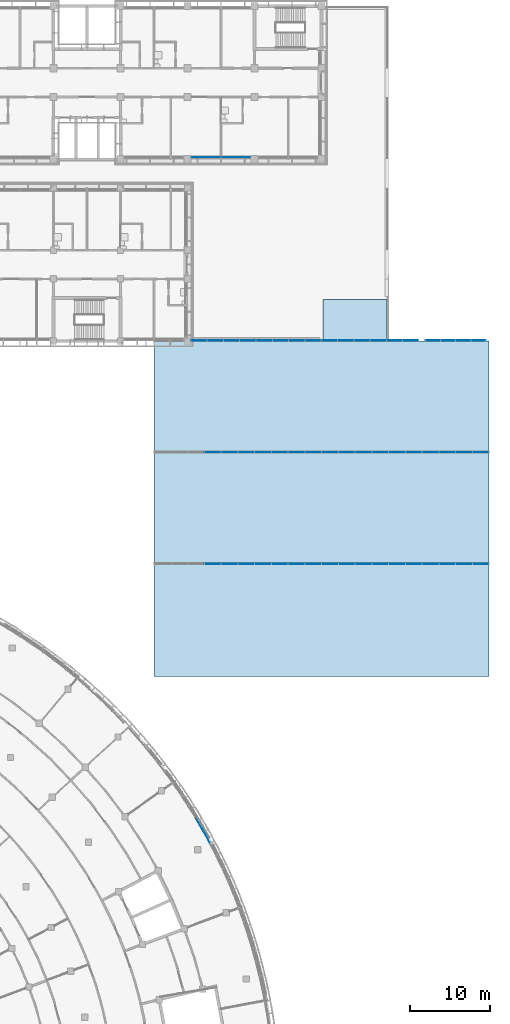
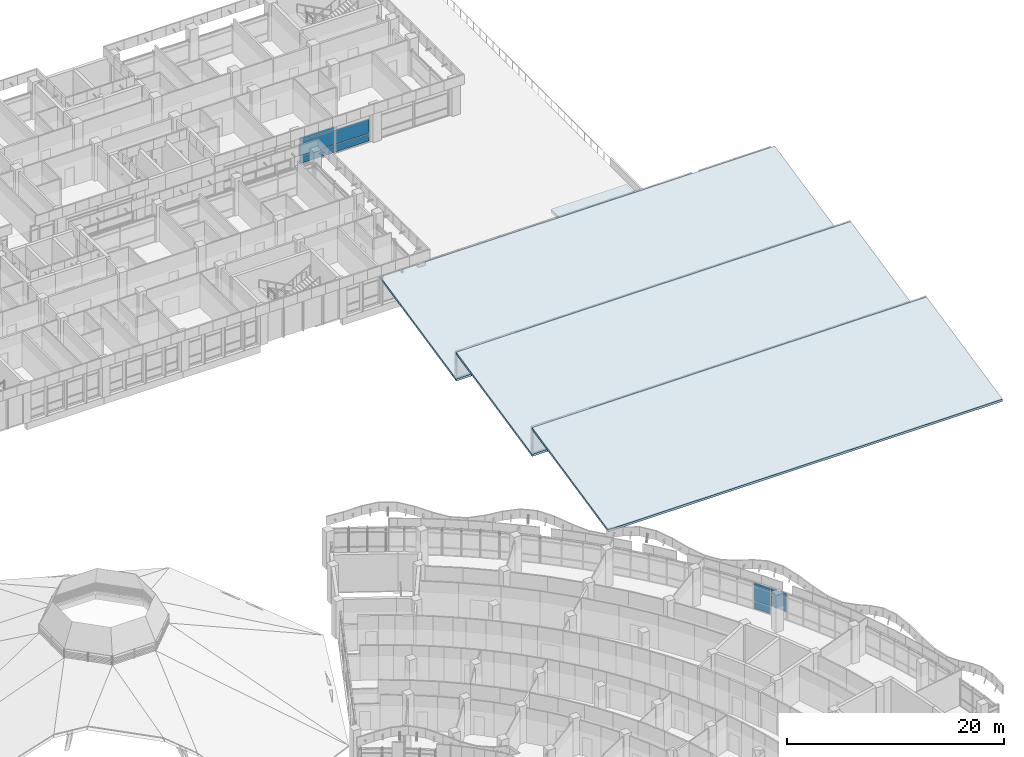
# One storey, part 60 of 137: 62 plates, 4 slabs, 6 elements without a shape of their own.
"""IFC4 building model written with IfcOpenShell, lengths in metres."""

from ifc_helpers import new_model, si_unit, direction, frame, origin, origin_2d, place, context, subcontext, project, spatial, polyline, rectangle, outline, extrude, material, layer, layer_set, type_object, element, aggregate, save


model = new_model("IFC4")

# Units and contexts
model_context = context("Model", 3, precision=1e-05, world=origin(), true_north=direction((0.0, 1.0)))
body_context = subcontext(model_context, "Body", "Model", "MODEL_VIEW")
ifc_project = project(units=[si_unit("LENGTHUNIT", "METRE"), si_unit("AREAUNIT", "SQUARE_METRE"), si_unit("VOLUMEUNIT", "CUBIC_METRE"), si_unit("PLANEANGLEUNIT", "RADIAN"), si_unit("MASSUNIT", "GRAM", prefix="KILO")], contexts=[model_context])

# Site, building, storey
site_placement = place(None, origin())
site = spatial("IfcSite", under=ifc_project, at=site_placement, CompositionType="ELEMENT")
building_placement = place(site_placement, origin())
building = spatial("IfcBuilding", under=site, at=building_placement, Name="Bougainvillea Quay General Hospital", CompositionType="ELEMENT")
storey_placement = place(building_placement, frame((0.0, 0.0, 16.800048828125)))
storey = spatial("IfcBuildingStorey", under=building, at=storey_placement, Name="L03", CompositionType="ELEMENT", Elevation=16.800048828125)

# Curtain wall, plates
ifc_material_1 = material(Name="Aluminium curtain wall system, powder-coated glazed", Category="aluminium")
curtain_wall_type_1 = type_object("IfcCurtainWallType", Name="Unitised curtain wall CW-2100", PredefinedType="NOTDEFINED", material=ifc_material_1)
curtain_wall_1_placement = place(storey_placement, origin())
curtain_wall_1 = element("IfcCurtainWall", 1, at=curtain_wall_1_placement, inside=storey, type_object=curtain_wall_type_1, Name="CW-E05 a14b4", PredefinedType="NOTDEFINED")
ifc_material_2 = material(Name="Insulated aluminium spandrel panel, white", Category="aluminium")
ifc_layer_1 = layer(ifc_material_2, 0.028076171875)
ifc_layer_set_1 = layer_set([ifc_layer_1], Name="Insulated aluminium spandrel panel, white")
plate_type_1 = type_object("IfcPlateType", Name="Insulated spandrel panel white 28", PredefinedType="CURTAIN_PANEL", material=ifc_layer_set_1)
plate_1_placement = place(storey_placement, frame((169.519287109375, 57.01318359375, 0.059814453125), z_axis=(0.0, 0.0, 1.0), x_axis=(0.502018002187, -0.864857170567, 0.0)))
plate_1 = element("IfcPlate", 2, at=plate_1_placement, type_object=plate_type_1, Name="CW-E05 spandrel panel 4.1", PredefinedType="CURTAIN_PANEL", context=body_context, shape_type="SweptSolid", body=[
    extrude(rectangle(XDim=1.72021484375, YDim=0.028076171875, at=origin_2d()), origin(), (0.0, 0.0, 1.0), 0.81005859375),
])
plate_2_placement = place(storey_placement, frame((169.519287109375, 57.01318359375, 2.580078125), z_axis=(0.0, 0.0, 1.0), x_axis=(0.502018002187, -0.864857170567, 0.0)))
plate_2 = element("IfcPlate", 3, at=plate_2_placement, type_object=plate_type_1, Name="CW-E05 spandrel panel 4.3", PredefinedType="CURTAIN_PANEL", context=body_context, shape_type="SweptSolid", body=[
    extrude(rectangle(XDim=1.72021484375, YDim=0.028076171875, at=origin_2d()), origin(), (0.0, 0.0, 1.0), 0.409912109375),
])
plate_3_placement = place(storey_placement, frame((170.385986328125, 55.4755859375, 2.580078125), z_axis=(0.0, 0.0, 1.0), x_axis=(0.479782535044, -0.877387439543, 0.0)))
plate_3 = element("IfcPlate", 4, at=plate_3_placement, type_object=plate_type_1, Name="CW-E05 spandrel panel 5.3", PredefinedType="CURTAIN_PANEL", context=body_context, shape_type="SweptSolid", body=[
    extrude(rectangle(XDim=1.690185546875, YDim=0.028076171875, at=origin_2d()), origin(), (0.0, 0.0, 1.0), 0.409912109375),
])

curtain_wall_type_2 = type_object("IfcCurtainWallType", Name="Unitised curtain wall CW-3730", PredefinedType="NOTDEFINED", material=ifc_material_1)
curtain_wall_2_placement = place(storey_placement, origin())
curtain_wall_2 = element("IfcCurtainWall", 5, at=curtain_wall_2_placement, inside=storey, type_object=curtain_wall_type_2, Name="CW-4200 01", PredefinedType="NOTDEFINED")
plate_4_placement = place(storey_placement, frame((170.35009765625, 140.64990234375, 0.059814453125), z_axis=(0.0, 0.0, 1.0), x_axis=(1.0, 0.0, 0.0)))
plate_4 = element("IfcPlate", 6, at=plate_4_placement, type_object=plate_type_1, Name="CW-4200 spandrel panel 1.1", PredefinedType="CURTAIN_PANEL", context=body_context, shape_type="SweptSolid", body=[
    extrude(rectangle(XDim=3.639892578125, YDim=0.028076171875, at=origin_2d()), origin(), (0.0, 0.0, 1.0), 0.81005859375),
])
plate_5_placement = place(storey_placement, frame((170.35009765625, 140.64990234375, 2.580078125), z_axis=(0.0, 0.0, 1.0), x_axis=(1.0, 0.0, 0.0)))
plate_5 = element("IfcPlate", 7, at=plate_5_placement, type_object=plate_type_1, Name="CW-4200 spandrel panel 1.3", PredefinedType="CURTAIN_PANEL", context=body_context, shape_type="SweptSolid", body=[
    extrude(rectangle(XDim=3.639892578125, YDim=0.028076171875, at=origin_2d()), origin(), (0.0, 0.0, 1.0), 0.409912109375),
])
plate_6_placement = place(storey_placement, frame((174.050048828125, 140.64990234375, 0.059814453125), z_axis=(0.0, 0.0, 1.0), x_axis=(1.0, 0.0, 0.0)))
plate_6 = element("IfcPlate", 8, at=plate_6_placement, type_object=plate_type_1, Name="CW-4200 spandrel panel 2.1", PredefinedType="CURTAIN_PANEL", context=body_context, shape_type="SweptSolid", body=[
    extrude(rectangle(XDim=3.639892578125, YDim=0.028076171875, at=origin_2d()), origin(), (0.0, 0.0, 1.0), 0.81005859375),
])

# Plate
ifc_material_3 = material(Name="Low-e laminated glass, solar control", Category="glass")
ifc_layer_2 = layer(ifc_material_3, 0.028076171875)
ifc_layer_set_2 = layer_set([ifc_layer_2], Name="Low-e laminated glass, solar control")
plate_type_2 = type_object("IfcPlateType", Name="Low-e laminated vision glass 28", PredefinedType="CURTAIN_PANEL", material=ifc_layer_set_2)
plate_7_placement = place(storey_placement, frame((169.519287109375, 57.01318359375, 0.9296875), z_axis=(0.0, 0.0, 1.0), x_axis=(0.502018002187, -0.864857170567, 0.0)))
plate_7 = element("IfcPlate", 9, at=plate_7_placement, type_object=plate_type_2, Name="CW-E05 vision glass panel 4.2", PredefinedType="CURTAIN_PANEL", context=body_context, shape_type="SweptSolid", body=[
    extrude(rectangle(XDim=1.72021484375, YDim=0.028076171875, at=origin_2d()), origin(), (0.0, 0.0, 1.0), 1.590087890625),
])

plate_8_placement = place(storey_placement, frame((170.385986328125, 55.4755859375, 0.9296875), z_axis=(0.0, 0.0, 1.0), x_axis=(0.479782535044, -0.877387439543, 0.0)))
plate_8 = element("IfcPlate", 10, at=plate_8_placement, type_object=plate_type_2, Name="CW-E05 vision glass panel 5.2", PredefinedType="CURTAIN_PANEL", context=body_context, shape_type="SweptSolid", body=[
    extrude(rectangle(XDim=1.690185546875, YDim=0.028076171875, at=origin_2d()), origin(), (0.0, 0.0, 1.0), 1.590087890625),
])

aggregate(curtain_wall_1, [plate_1, plate_7, plate_2, plate_8, plate_3])

plate_9_placement = place(storey_placement, frame((170.35009765625, 140.64990234375, 0.9296875), z_axis=(0.0, 0.0, 1.0), x_axis=(1.0, 0.0, 0.0)))
plate_9 = element("IfcPlate", 11, at=plate_9_placement, type_object=plate_type_2, Name="CW-4200 vision glass panel 1.2", PredefinedType="CURTAIN_PANEL", context=body_context, shape_type="SweptSolid", body=[
    extrude(rectangle(XDim=3.639892578125, YDim=0.028076171875, at=origin_2d()), origin(), (0.0, 0.0, 1.0), 1.590087890625),
])

plate_10_placement = place(storey_placement, frame((174.050048828125, 140.64990234375, 0.9296875), z_axis=(0.0, 0.0, 1.0), x_axis=(1.0, 0.0, 0.0)))
plate_10 = element("IfcPlate", 12, at=plate_10_placement, type_object=plate_type_2, Name="CW-4200 vision glass panel 2.2", PredefinedType="CURTAIN_PANEL", context=body_context, shape_type="SweptSolid", body=[
    extrude(rectangle(XDim=3.639892578125, YDim=0.028076171875, at=origin_2d()), origin(), (0.0, 0.0, 1.0), 1.590087890625),
])

aggregate(curtain_wall_2, [plate_4, plate_9, plate_5, plate_6, plate_10])

# Curtain wall, plates
curtain_wall_3_placement = place(storey_placement, origin())
curtain_wall_3 = element("IfcCurtainWall", 13, at=curtain_wall_3_placement, inside=storey, type_object=curtain_wall_type_1, Name="ST-G1 GL0", PredefinedType="NOTDEFINED")
plate_11_placement = place(storey_placement, frame((171.14990234375, 89.679931640625, 0.06005859375), z_axis=(0.0, 0.0, 1.0), x_axis=(1.0, 0.0, 0.0)))
plate_11 = element("IfcPlate", 14, at=plate_11_placement, type_object=plate_type_2, Name="ST-G1 vision glass panel 4.1", PredefinedType="CURTAIN_PANEL", context=body_context, shape_type="SweptSolid", body=[
    extrude(rectangle(XDim=2.0400390625, YDim=0.028076171875, at=origin_2d()), origin(), (0.0, 0.0, 1.0), 2.8798828125),
])
plate_12_placement = place(storey_placement, frame((173.25, 89.679931640625, 0.06005859375), z_axis=(0.0, 0.0, 1.0), x_axis=(1.0, 0.0, 0.0)))
plate_12 = element("IfcPlate", 15, at=plate_12_placement, type_object=plate_type_2, Name="ST-G1 vision glass panel 5.1", PredefinedType="CURTAIN_PANEL", context=body_context, shape_type="SweptSolid", body=[
    extrude(rectangle(XDim=2.0400390625, YDim=0.028076171875, at=origin_2d()), origin(), (0.0, 0.0, 1.0), 2.8798828125),
])
plate_13_placement = place(storey_placement, frame((175.35009765625, 89.679931640625, 0.06005859375), z_axis=(0.0, 0.0, 1.0), x_axis=(1.0, 0.0, 0.0)))
plate_13 = element("IfcPlate", 16, at=plate_13_placement, type_object=plate_type_2, Name="ST-G1 vision glass panel 6.1", PredefinedType="CURTAIN_PANEL", context=body_context, shape_type="SweptSolid", body=[
    extrude(rectangle(XDim=2.0400390625, YDim=0.028076171875, at=origin_2d()), origin(), (0.0, 0.0, 1.0), 2.8798828125),
])
plate_14_placement = place(storey_placement, frame((177.449951171875, 89.679931640625, 0.06005859375), z_axis=(0.0, 0.0, 1.0), x_axis=(1.0, 0.0, 0.0)))
plate_14 = element("IfcPlate", 17, at=plate_14_placement, type_object=plate_type_2, Name="ST-G1 vision glass panel 7.1", PredefinedType="CURTAIN_PANEL", context=body_context, shape_type="SweptSolid", body=[
    extrude(rectangle(XDim=2.0400390625, YDim=0.028076171875, at=origin_2d()), origin(), (0.0, 0.0, 1.0), 2.8798828125),
])
plate_15_placement = place(storey_placement, frame((179.550048828125, 89.679931640625, 0.06005859375), z_axis=(0.0, 0.0, 1.0), x_axis=(1.0, 0.0, 0.0)))
plate_15 = element("IfcPlate", 18, at=plate_15_placement, type_object=plate_type_2, Name="ST-G1 vision glass panel 8.1", PredefinedType="CURTAIN_PANEL", context=body_context, shape_type="SweptSolid", body=[
    extrude(rectangle(XDim=2.0400390625, YDim=0.028076171875, at=origin_2d()), origin(), (0.0, 0.0, 1.0), 2.8798828125),
])
plate_16_placement = place(storey_placement, frame((181.64990234375, 89.679931640625, 0.06005859375), z_axis=(0.0, 0.0, 1.0), x_axis=(1.0, 0.0, 0.0)))
plate_16 = element("IfcPlate", 19, at=plate_16_placement, type_object=plate_type_2, Name="ST-G1 vision glass panel 9.1", PredefinedType="CURTAIN_PANEL", context=body_context, shape_type="SweptSolid", body=[
    extrude(rectangle(XDim=2.0400390625, YDim=0.028076171875, at=origin_2d()), origin(), (0.0, 0.0, 1.0), 2.8798828125),
])
plate_17_placement = place(storey_placement, frame((183.75, 89.679931640625, 0.06005859375), z_axis=(0.0, 0.0, 1.0), x_axis=(1.0, 0.0, 0.0)))
plate_17 = element("IfcPlate", 20, at=plate_17_placement, type_object=plate_type_2, Name="ST-G1 vision glass panel 10.1", PredefinedType="CURTAIN_PANEL", context=body_context, shape_type="SweptSolid", body=[
    extrude(rectangle(XDim=2.0400390625, YDim=0.028076171875, at=origin_2d()), origin(), (0.0, 0.0, 1.0), 2.8798828125),
])
plate_18_placement = place(storey_placement, frame((185.85009765625, 89.679931640625, 0.06005859375), z_axis=(0.0, 0.0, 1.0), x_axis=(1.0, 0.0, 0.0)))
plate_18 = element("IfcPlate", 21, at=plate_18_placement, type_object=plate_type_2, Name="ST-G1 vision glass panel 11.1", PredefinedType="CURTAIN_PANEL", context=body_context, shape_type="SweptSolid", body=[
    extrude(rectangle(XDim=2.0400390625, YDim=0.028076171875, at=origin_2d()), origin(), (0.0, 0.0, 1.0), 2.8798828125),
])
plate_19_placement = place(storey_placement, frame((187.949951171875, 89.679931640625, 0.06005859375), z_axis=(0.0, 0.0, 1.0), x_axis=(1.0, 0.0, 0.0)))
plate_19 = element("IfcPlate", 22, at=plate_19_placement, type_object=plate_type_2, Name="ST-G1 vision glass panel 12.1", PredefinedType="CURTAIN_PANEL", context=body_context, shape_type="SweptSolid", body=[
    extrude(rectangle(XDim=2.0400390625, YDim=0.028076171875, at=origin_2d()), origin(), (0.0, 0.0, 1.0), 2.8798828125),
])
plate_20_placement = place(storey_placement, frame((190.050048828125, 89.679931640625, 0.06005859375), z_axis=(0.0, 0.0, 1.0), x_axis=(1.0, 0.0, 0.0)))
plate_20 = element("IfcPlate", 23, at=plate_20_placement, type_object=plate_type_2, Name="ST-G1 vision glass panel 13.1", PredefinedType="CURTAIN_PANEL", context=body_context, shape_type="SweptSolid", body=[
    extrude(rectangle(XDim=2.0400390625, YDim=0.028076171875, at=origin_2d()), origin(), (0.0, 0.0, 1.0), 2.8798828125),
])
plate_21_placement = place(storey_placement, frame((192.14990234375, 89.679931640625, 0.06005859375), z_axis=(0.0, 0.0, 1.0), x_axis=(1.0, 0.0, 0.0)))
plate_21 = element("IfcPlate", 24, at=plate_21_placement, type_object=plate_type_2, Name="ST-G1 vision glass panel 14.1", PredefinedType="CURTAIN_PANEL", context=body_context, shape_type="SweptSolid", body=[
    extrude(rectangle(XDim=2.0400390625, YDim=0.028076171875, at=origin_2d()), origin(), (0.0, 0.0, 1.0), 2.8798828125),
])
plate_22_placement = place(storey_placement, frame((194.25, 89.679931640625, 0.06005859375), z_axis=(0.0, 0.0, 1.0), x_axis=(1.0, 0.0, 0.0)))
plate_22 = element("IfcPlate", 25, at=plate_22_placement, type_object=plate_type_2, Name="ST-G1 vision glass panel 15.1", PredefinedType="CURTAIN_PANEL", context=body_context, shape_type="SweptSolid", body=[
    extrude(rectangle(XDim=2.0400390625, YDim=0.028076171875, at=origin_2d()), origin(), (0.0, 0.0, 1.0), 2.8798828125),
])
plate_23_placement = place(storey_placement, frame((196.35009765625, 89.679931640625, 0.06005859375), z_axis=(0.0, 0.0, 1.0), x_axis=(1.0, 0.0, 0.0)))
plate_23 = element("IfcPlate", 26, at=plate_23_placement, type_object=plate_type_2, Name="ST-G1 vision glass panel 16.1", PredefinedType="CURTAIN_PANEL", context=body_context, shape_type="SweptSolid", body=[
    extrude(rectangle(XDim=2.0400390625, YDim=0.028076171875, at=origin_2d()), origin(), (0.0, 0.0, 1.0), 2.8798828125),
])
plate_24_placement = place(storey_placement, frame((198.449951171875, 89.679931640625, 0.06005859375), z_axis=(0.0, 0.0, 1.0), x_axis=(1.0, 0.0, 0.0)))
plate_24 = element("IfcPlate", 27, at=plate_24_placement, type_object=plate_type_2, Name="ST-G1 vision glass panel 17.1", PredefinedType="CURTAIN_PANEL", context=body_context, shape_type="SweptSolid", body=[
    extrude(rectangle(XDim=2.0400390625, YDim=0.028076171875, at=origin_2d()), origin(), (0.0, 0.0, 1.0), 2.8798828125),
])
plate_25_placement = place(storey_placement, frame((200.550048828125, 89.679931640625, 0.06005859375), z_axis=(0.0, 0.0, 1.0), x_axis=(1.0, 0.0, 0.0)))
plate_25 = element("IfcPlate", 28, at=plate_25_placement, type_object=plate_type_2, Name="ST-G1 vision glass panel 18.1", PredefinedType="CURTAIN_PANEL", context=body_context, shape_type="SweptSolid", body=[
    extrude(rectangle(XDim=2.0400390625, YDim=0.028076171875, at=origin_2d()), origin(), (0.0, 0.0, 1.0), 2.8798828125),
])
plate_26_placement = place(storey_placement, frame((202.64990234375, 89.679931640625, 0.06005859375), z_axis=(0.0, 0.0, 1.0), x_axis=(1.0, 0.0, 0.0)))
plate_26 = element("IfcPlate", 29, at=plate_26_placement, type_object=plate_type_2, Name="ST-G1 vision glass panel 19.1", PredefinedType="CURTAIN_PANEL", context=body_context, shape_type="SweptSolid", body=[
    extrude(rectangle(XDim=2.0400390625, YDim=0.028076171875, at=origin_2d()), origin(), (0.0, 0.0, 1.0), 2.8798828125),
])
plate_27_placement = place(storey_placement, frame((204.735107421875, 89.679931640625, 0.06005859375), z_axis=(0.0, 0.0, 1.0), x_axis=(1.0, 0.0, 0.0)))
plate_27 = element("IfcPlate", 30, at=plate_27_placement, type_object=plate_type_2, Name="ST-G1 vision glass panel 20.1", PredefinedType="CURTAIN_PANEL", context=body_context, shape_type="SweptSolid", body=[
    extrude(rectangle(XDim=2.010009765625, YDim=0.028076171875, at=origin_2d()), origin(), (0.0, 0.0, 1.0), 2.8798828125),
])
aggregate(curtain_wall_3, [plate_11, plate_12, plate_13, plate_14, plate_15, plate_16, plate_17, plate_18, plate_19, plate_20, plate_21, plate_22, plate_23, plate_24, plate_25, plate_26, plate_27])

curtain_wall_4_placement = place(storey_placement, origin())
curtain_wall_4 = element("IfcCurtainWall", 31, at=curtain_wall_4_placement, inside=storey, type_object=curtain_wall_type_1, Name="ST-G2 GL1", PredefinedType="NOTDEFINED")
plate_28_placement = place(storey_placement, frame((171.14990234375, 103.679931640625, 0.06005859375), z_axis=(0.0, 0.0, 1.0), x_axis=(1.0, 0.0, 0.0)))
plate_28 = element("IfcPlate", 32, at=plate_28_placement, type_object=plate_type_2, Name="ST-G2 vision glass panel 4.1", PredefinedType="CURTAIN_PANEL", context=body_context, shape_type="SweptSolid", body=[
    extrude(rectangle(XDim=2.0400390625, YDim=0.028076171875, at=origin_2d()), origin(), (0.0, 0.0, 1.0), 2.8798828125),
])
plate_29_placement = place(storey_placement, frame((173.25, 103.679931640625, 0.06005859375), z_axis=(0.0, 0.0, 1.0), x_axis=(1.0, 0.0, 0.0)))
plate_29 = element("IfcPlate", 33, at=plate_29_placement, type_object=plate_type_2, Name="ST-G2 vision glass panel 5.1", PredefinedType="CURTAIN_PANEL", context=body_context, shape_type="SweptSolid", body=[
    extrude(rectangle(XDim=2.0400390625, YDim=0.028076171875, at=origin_2d()), origin(), (0.0, 0.0, 1.0), 2.8798828125),
])
plate_30_placement = place(storey_placement, frame((175.35009765625, 103.679931640625, 0.06005859375), z_axis=(0.0, 0.0, 1.0), x_axis=(1.0, 0.0, 0.0)))
plate_30 = element("IfcPlate", 34, at=plate_30_placement, type_object=plate_type_2, Name="ST-G2 vision glass panel 6.1", PredefinedType="CURTAIN_PANEL", context=body_context, shape_type="SweptSolid", body=[
    extrude(rectangle(XDim=2.0400390625, YDim=0.028076171875, at=origin_2d()), origin(), (0.0, 0.0, 1.0), 2.8798828125),
])
plate_31_placement = place(storey_placement, frame((177.449951171875, 103.679931640625, 0.06005859375), z_axis=(0.0, 0.0, 1.0), x_axis=(1.0, 0.0, 0.0)))
plate_31 = element("IfcPlate", 35, at=plate_31_placement, type_object=plate_type_2, Name="ST-G2 vision glass panel 7.1", PredefinedType="CURTAIN_PANEL", context=body_context, shape_type="SweptSolid", body=[
    extrude(rectangle(XDim=2.0400390625, YDim=0.028076171875, at=origin_2d()), origin(), (0.0, 0.0, 1.0), 2.8798828125),
])
plate_32_placement = place(storey_placement, frame((179.550048828125, 103.679931640625, 0.06005859375), z_axis=(0.0, 0.0, 1.0), x_axis=(1.0, 0.0, 0.0)))
plate_32 = element("IfcPlate", 36, at=plate_32_placement, type_object=plate_type_2, Name="ST-G2 vision glass panel 8.1", PredefinedType="CURTAIN_PANEL", context=body_context, shape_type="SweptSolid", body=[
    extrude(rectangle(XDim=2.0400390625, YDim=0.028076171875, at=origin_2d()), origin(), (0.0, 0.0, 1.0), 2.8798828125),
])
plate_33_placement = place(storey_placement, frame((181.64990234375, 103.679931640625, 0.06005859375), z_axis=(0.0, 0.0, 1.0), x_axis=(1.0, 0.0, 0.0)))
plate_33 = element("IfcPlate", 37, at=plate_33_placement, type_object=plate_type_2, Name="ST-G2 vision glass panel 9.1", PredefinedType="CURTAIN_PANEL", context=body_context, shape_type="SweptSolid", body=[
    extrude(rectangle(XDim=2.0400390625, YDim=0.028076171875, at=origin_2d()), origin(), (0.0, 0.0, 1.0), 2.8798828125),
])
plate_34_placement = place(storey_placement, frame((183.75, 103.679931640625, 0.06005859375), z_axis=(0.0, 0.0, 1.0), x_axis=(1.0, 0.0, 0.0)))
plate_34 = element("IfcPlate", 38, at=plate_34_placement, type_object=plate_type_2, Name="ST-G2 vision glass panel 10.1", PredefinedType="CURTAIN_PANEL", context=body_context, shape_type="SweptSolid", body=[
    extrude(rectangle(XDim=2.0400390625, YDim=0.028076171875, at=origin_2d()), origin(), (0.0, 0.0, 1.0), 2.8798828125),
])
plate_35_placement = place(storey_placement, frame((185.85009765625, 103.679931640625, 0.06005859375), z_axis=(0.0, 0.0, 1.0), x_axis=(1.0, 0.0, 0.0)))
plate_35 = element("IfcPlate", 39, at=plate_35_placement, type_object=plate_type_2, Name="ST-G2 vision glass panel 11.1", PredefinedType="CURTAIN_PANEL", context=body_context, shape_type="SweptSolid", body=[
    extrude(rectangle(XDim=2.0400390625, YDim=0.028076171875, at=origin_2d()), origin(), (0.0, 0.0, 1.0), 2.8798828125),
])
plate_36_placement = place(storey_placement, frame((187.949951171875, 103.679931640625, 0.06005859375), z_axis=(0.0, 0.0, 1.0), x_axis=(1.0, 0.0, 0.0)))
plate_36 = element("IfcPlate", 40, at=plate_36_placement, type_object=plate_type_2, Name="ST-G2 vision glass panel 12.1", PredefinedType="CURTAIN_PANEL", context=body_context, shape_type="SweptSolid", body=[
    extrude(rectangle(XDim=2.0400390625, YDim=0.028076171875, at=origin_2d()), origin(), (0.0, 0.0, 1.0), 2.8798828125),
])
plate_37_placement = place(storey_placement, frame((190.050048828125, 103.679931640625, 0.06005859375), z_axis=(0.0, 0.0, 1.0), x_axis=(1.0, 0.0, 0.0)))
plate_37 = element("IfcPlate", 41, at=plate_37_placement, type_object=plate_type_2, Name="ST-G2 vision glass panel 13.1", PredefinedType="CURTAIN_PANEL", context=body_context, shape_type="SweptSolid", body=[
    extrude(rectangle(XDim=2.0400390625, YDim=0.028076171875, at=origin_2d()), origin(), (0.0, 0.0, 1.0), 2.8798828125),
])
plate_38_placement = place(storey_placement, frame((192.14990234375, 103.679931640625, 0.06005859375), z_axis=(0.0, 0.0, 1.0), x_axis=(1.0, 0.0, 0.0)))
plate_38 = element("IfcPlate", 42, at=plate_38_placement, type_object=plate_type_2, Name="ST-G2 vision glass panel 14.1", PredefinedType="CURTAIN_PANEL", context=body_context, shape_type="SweptSolid", body=[
    extrude(rectangle(XDim=2.0400390625, YDim=0.028076171875, at=origin_2d()), origin(), (0.0, 0.0, 1.0), 2.8798828125),
])
plate_39_placement = place(storey_placement, frame((194.25, 103.679931640625, 0.06005859375), z_axis=(0.0, 0.0, 1.0), x_axis=(1.0, 0.0, 0.0)))
plate_39 = element("IfcPlate", 43, at=plate_39_placement, type_object=plate_type_2, Name="ST-G2 vision glass panel 15.1", PredefinedType="CURTAIN_PANEL", context=body_context, shape_type="SweptSolid", body=[
    extrude(rectangle(XDim=2.0400390625, YDim=0.028076171875, at=origin_2d()), origin(), (0.0, 0.0, 1.0), 2.8798828125),
])
plate_40_placement = place(storey_placement, frame((196.35009765625, 103.679931640625, 0.06005859375), z_axis=(0.0, 0.0, 1.0), x_axis=(1.0, 0.0, 0.0)))
plate_40 = element("IfcPlate", 44, at=plate_40_placement, type_object=plate_type_2, Name="ST-G2 vision glass panel 16.1", PredefinedType="CURTAIN_PANEL", context=body_context, shape_type="SweptSolid", body=[
    extrude(rectangle(XDim=2.0400390625, YDim=0.028076171875, at=origin_2d()), origin(), (0.0, 0.0, 1.0), 2.8798828125),
])
plate_41_placement = place(storey_placement, frame((198.449951171875, 103.679931640625, 0.06005859375), z_axis=(0.0, 0.0, 1.0), x_axis=(1.0, 0.0, 0.0)))
plate_41 = element("IfcPlate", 45, at=plate_41_placement, type_object=plate_type_2, Name="ST-G2 vision glass panel 17.1", PredefinedType="CURTAIN_PANEL", context=body_context, shape_type="SweptSolid", body=[
    extrude(rectangle(XDim=2.0400390625, YDim=0.028076171875, at=origin_2d()), origin(), (0.0, 0.0, 1.0), 2.8798828125),
])
plate_42_placement = place(storey_placement, frame((200.550048828125, 103.679931640625, 0.06005859375), z_axis=(0.0, 0.0, 1.0), x_axis=(1.0, 0.0, 0.0)))
plate_42 = element("IfcPlate", 46, at=plate_42_placement, type_object=plate_type_2, Name="ST-G2 vision glass panel 18.1", PredefinedType="CURTAIN_PANEL", context=body_context, shape_type="SweptSolid", body=[
    extrude(rectangle(XDim=2.0400390625, YDim=0.028076171875, at=origin_2d()), origin(), (0.0, 0.0, 1.0), 2.8798828125),
])
plate_43_placement = place(storey_placement, frame((202.64990234375, 103.679931640625, 0.06005859375), z_axis=(0.0, 0.0, 1.0), x_axis=(1.0, 0.0, 0.0)))
plate_43 = element("IfcPlate", 47, at=plate_43_placement, type_object=plate_type_2, Name="ST-G2 vision glass panel 19.1", PredefinedType="CURTAIN_PANEL", context=body_context, shape_type="SweptSolid", body=[
    extrude(rectangle(XDim=2.0400390625, YDim=0.028076171875, at=origin_2d()), origin(), (0.0, 0.0, 1.0), 2.8798828125),
])
plate_44_placement = place(storey_placement, frame((204.735107421875, 103.679931640625, 0.06005859375), z_axis=(0.0, 0.0, 1.0), x_axis=(1.0, 0.0, 0.0)))
plate_44 = element("IfcPlate", 48, at=plate_44_placement, type_object=plate_type_2, Name="ST-G2 vision glass panel 20.1", PredefinedType="CURTAIN_PANEL", context=body_context, shape_type="SweptSolid", body=[
    extrude(rectangle(XDim=2.010009765625, YDim=0.028076171875, at=origin_2d()), origin(), (0.0, 0.0, 1.0), 2.8798828125),
])
aggregate(curtain_wall_4, [plate_28, plate_29, plate_30, plate_31, plate_32, plate_33, plate_34, plate_35, plate_36, plate_37, plate_38, plate_39, plate_40, plate_41, plate_42, plate_43, plate_44])

curtain_wall_5_placement = place(storey_placement, origin())
curtain_wall_5 = element("IfcCurtainWall", 49, at=curtain_wall_5_placement, inside=storey, type_object=curtain_wall_type_1, Name="ST-G3 GL2_1", PredefinedType="NOTDEFINED")
plate_45_placement = place(storey_placement, frame((169.4365234375, 117.679931640625, 0.06005859375), z_axis=(0.0, 0.0, 1.0), x_axis=(1.0, 0.0, 0.0)))
plate_45 = element("IfcPlate", 50, at=plate_45_placement, type_object=plate_type_2, Name="ST-G3 vision glass panel 1.1", PredefinedType="CURTAIN_PANEL", context=body_context, shape_type="SweptSolid", body=[
    extrude(rectangle(XDim=1.952880859375, YDim=0.028076171875, at=origin_2d()), origin(), (0.0, 0.0, 1.0), 2.8798828125),
])
plate_46_placement = place(storey_placement, frame((171.46435546875, 117.679931640625, 0.06005859375), z_axis=(0.0, 0.0, 1.0), x_axis=(1.0, 0.0, 0.0)))
plate_46 = element("IfcPlate", 51, at=plate_46_placement, type_object=plate_type_2, Name="ST-G3 vision glass panel 2.1", PredefinedType="CURTAIN_PANEL", context=body_context, shape_type="SweptSolid", body=[
    extrude(rectangle(XDim=1.98291015625, YDim=0.028076171875, at=origin_2d()), origin(), (0.0, 0.0, 1.0), 2.8798828125),
])
plate_47_placement = place(storey_placement, frame((173.507080078125, 117.679931640625, 0.06005859375), z_axis=(0.0, 0.0, 1.0), x_axis=(1.0, 0.0, 0.0)))
plate_47 = element("IfcPlate", 52, at=plate_47_placement, type_object=plate_type_2, Name="ST-G3 vision glass panel 3.1", PredefinedType="CURTAIN_PANEL", context=body_context, shape_type="SweptSolid", body=[
    extrude(rectangle(XDim=1.98291015625, YDim=0.028076171875, at=origin_2d()), origin(), (0.0, 0.0, 1.0), 2.8798828125),
])
plate_48_placement = place(storey_placement, frame((175.550048828125, 117.679931640625, 0.06005859375), z_axis=(0.0, 0.0, 1.0), x_axis=(1.0, 0.0, 0.0)))
plate_48 = element("IfcPlate", 53, at=plate_48_placement, type_object=plate_type_2, Name="ST-G3 vision glass panel 4.1", PredefinedType="CURTAIN_PANEL", context=body_context, shape_type="SweptSolid", body=[
    extrude(rectangle(XDim=1.98291015625, YDim=0.028076171875, at=origin_2d()), origin(), (0.0, 0.0, 1.0), 2.8798828125),
])
plate_49_placement = place(storey_placement, frame((177.5927734375, 117.679931640625, 0.06005859375), z_axis=(0.0, 0.0, 1.0), x_axis=(1.0, 0.0, 0.0)))
plate_49 = element("IfcPlate", 54, at=plate_49_placement, type_object=plate_type_2, Name="ST-G3 vision glass panel 5.1", PredefinedType="CURTAIN_PANEL", context=body_context, shape_type="SweptSolid", body=[
    extrude(rectangle(XDim=1.98291015625, YDim=0.028076171875, at=origin_2d()), origin(), (0.0, 0.0, 1.0), 2.8798828125),
])
plate_50_placement = place(storey_placement, frame((179.6357421875, 117.679931640625, 0.06005859375), z_axis=(0.0, 0.0, 1.0), x_axis=(1.0, 0.0, 0.0)))
plate_50 = element("IfcPlate", 55, at=plate_50_placement, type_object=plate_type_2, Name="ST-G3 vision glass panel 6.1", PredefinedType="CURTAIN_PANEL", context=body_context, shape_type="SweptSolid", body=[
    extrude(rectangle(XDim=1.98291015625, YDim=0.028076171875, at=origin_2d()), origin(), (0.0, 0.0, 1.0), 2.8798828125),
])
plate_51_placement = place(storey_placement, frame((181.678466796875, 117.679931640625, 0.06005859375), z_axis=(0.0, 0.0, 1.0), x_axis=(1.0, 0.0, 0.0)))
plate_51 = element("IfcPlate", 56, at=plate_51_placement, type_object=plate_type_2, Name="ST-G3 vision glass panel 7.1", PredefinedType="CURTAIN_PANEL", context=body_context, shape_type="SweptSolid", body=[
    extrude(rectangle(XDim=1.98291015625, YDim=0.028076171875, at=origin_2d()), origin(), (0.0, 0.0, 1.0), 2.8798828125),
])
plate_52_placement = place(storey_placement, frame((183.721435546875, 117.679931640625, 0.06005859375), z_axis=(0.0, 0.0, 1.0), x_axis=(1.0, 0.0, 0.0)))
plate_52 = element("IfcPlate", 57, at=plate_52_placement, type_object=plate_type_2, Name="ST-G3 vision glass panel 8.1", PredefinedType="CURTAIN_PANEL", context=body_context, shape_type="SweptSolid", body=[
    extrude(rectangle(XDim=1.98291015625, YDim=0.028076171875, at=origin_2d()), origin(), (0.0, 0.0, 1.0), 2.8798828125),
])
plate_53_placement = place(storey_placement, frame((185.764404296875, 117.679931640625, 0.06005859375), z_axis=(0.0, 0.0, 1.0), x_axis=(1.0, 0.0, 0.0)))
plate_53 = element("IfcPlate", 58, at=plate_53_placement, type_object=plate_type_2, Name="ST-G3 vision glass panel 9.1", PredefinedType="CURTAIN_PANEL", context=body_context, shape_type="SweptSolid", body=[
    extrude(rectangle(XDim=1.98291015625, YDim=0.028076171875, at=origin_2d()), origin(), (0.0, 0.0, 1.0), 2.8798828125),
])
plate_54_placement = place(storey_placement, frame((187.80712890625, 117.679931640625, 0.06005859375), z_axis=(0.0, 0.0, 1.0), x_axis=(1.0, 0.0, 0.0)))
plate_54 = element("IfcPlate", 59, at=plate_54_placement, type_object=plate_type_2, Name="ST-G3 vision glass panel 10.1", PredefinedType="CURTAIN_PANEL", context=body_context, shape_type="SweptSolid", body=[
    extrude(rectangle(XDim=1.98291015625, YDim=0.028076171875, at=origin_2d()), origin(), (0.0, 0.0, 1.0), 2.8798828125),
])
plate_55_placement = place(storey_placement, frame((189.85009765625, 117.679931640625, 0.06005859375), z_axis=(0.0, 0.0, 1.0), x_axis=(1.0, 0.0, 0.0)))
plate_55 = element("IfcPlate", 60, at=plate_55_placement, type_object=plate_type_2, Name="ST-G3 vision glass panel 11.1", PredefinedType="CURTAIN_PANEL", context=body_context, shape_type="SweptSolid", body=[
    extrude(rectangle(XDim=1.98291015625, YDim=0.028076171875, at=origin_2d()), origin(), (0.0, 0.0, 1.0), 2.8798828125),
])
plate_56_placement = place(storey_placement, frame((191.892822265625, 117.679931640625, 0.06005859375), z_axis=(0.0, 0.0, 1.0), x_axis=(1.0, 0.0, 0.0)))
plate_56 = element("IfcPlate", 61, at=plate_56_placement, type_object=plate_type_2, Name="ST-G3 vision glass panel 12.1", PredefinedType="CURTAIN_PANEL", context=body_context, shape_type="SweptSolid", body=[
    extrude(rectangle(XDim=1.98291015625, YDim=0.028076171875, at=origin_2d()), origin(), (0.0, 0.0, 1.0), 2.8798828125),
])
plate_57_placement = place(storey_placement, frame((193.935791015625, 117.679931640625, 0.06005859375), z_axis=(0.0, 0.0, 1.0), x_axis=(1.0, 0.0, 0.0)))
plate_57 = element("IfcPlate", 62, at=plate_57_placement, type_object=plate_type_2, Name="ST-G3 vision glass panel 13.1", PredefinedType="CURTAIN_PANEL", context=body_context, shape_type="SweptSolid", body=[
    extrude(rectangle(XDim=1.98291015625, YDim=0.028076171875, at=origin_2d()), origin(), (0.0, 0.0, 1.0), 2.8798828125),
])
plate_58_placement = place(storey_placement, frame((195.963623046875, 117.679931640625, 0.06005859375), z_axis=(0.0, 0.0, 1.0), x_axis=(1.0, 0.0, 0.0)))
plate_58 = element("IfcPlate", 63, at=plate_58_placement, type_object=plate_type_2, Name="ST-G3 vision glass panel 14.1", PredefinedType="CURTAIN_PANEL", context=body_context, shape_type="SweptSolid", body=[
    extrude(rectangle(XDim=1.952880859375, YDim=0.028076171875, at=origin_2d()), origin(), (0.0, 0.0, 1.0), 2.8798828125),
])
aggregate(curtain_wall_5, [plate_45, plate_46, plate_47, plate_48, plate_49, plate_50, plate_51, plate_52, plate_53, plate_54, plate_55, plate_56, plate_57, plate_58])

curtain_wall_6_placement = place(storey_placement, origin())
curtain_wall_6 = element("IfcCurtainWall", 64, at=curtain_wall_6_placement, inside=storey, type_object=curtain_wall_type_1, Name="ST-G3 GL2_2", PredefinedType="NOTDEFINED")
plate_59_placement = place(storey_placement, frame((198.764892578125, 117.679931640625, 0.06005859375), z_axis=(0.0, 0.0, 1.0), x_axis=(1.0, 0.0, 0.0)))
plate_59 = element("IfcPlate", 65, at=plate_59_placement, type_object=plate_type_2, Name="ST-G3 vision glass panel 1.1", PredefinedType="CURTAIN_PANEL", context=body_context, shape_type="SweptSolid", body=[
    extrude(rectangle(XDim=1.81005859375, YDim=0.028076171875, at=origin_2d()), origin(), (0.0, 0.0, 1.0), 2.8798828125),
])
plate_60_placement = place(storey_placement, frame((200.64990234375, 117.679931640625, 0.06005859375), z_axis=(0.0, 0.0, 1.0), x_axis=(1.0, 0.0, 0.0)))
plate_60 = element("IfcPlate", 66, at=plate_60_placement, type_object=plate_type_2, Name="ST-G3 vision glass panel 2.1", PredefinedType="CURTAIN_PANEL", context=body_context, shape_type="SweptSolid", body=[
    extrude(rectangle(XDim=1.840087890625, YDim=0.028076171875, at=origin_2d()), origin(), (0.0, 0.0, 1.0), 2.8798828125),
])
plate_61_placement = place(storey_placement, frame((202.550048828125, 117.679931640625, 0.06005859375), z_axis=(0.0, 0.0, 1.0), x_axis=(1.0, 0.0, 0.0)))
plate_61 = element("IfcPlate", 67, at=plate_61_placement, type_object=plate_type_2, Name="ST-G3 vision glass panel 3.1", PredefinedType="CURTAIN_PANEL", context=body_context, shape_type="SweptSolid", body=[
    extrude(rectangle(XDim=1.840087890625, YDim=0.028076171875, at=origin_2d()), origin(), (0.0, 0.0, 1.0), 2.8798828125),
])
plate_62_placement = place(storey_placement, frame((204.43505859375, 117.679931640625, 0.06005859375), z_axis=(0.0, 0.0, 1.0), x_axis=(1.0, 0.0, 0.0)))
plate_62 = element("IfcPlate", 68, at=plate_62_placement, type_object=plate_type_2, Name="ST-G3 vision glass panel 4.1", PredefinedType="CURTAIN_PANEL", context=body_context, shape_type="SweptSolid", body=[
    extrude(rectangle(XDim=1.81005859375, YDim=0.028076171875, at=origin_2d()), origin(), (0.0, 0.0, 1.0), 2.8798828125),
])
aggregate(curtain_wall_6, [plate_59, plate_60, plate_61, plate_62])

# Slabs
ifc_material_4 = material(Name="Concrete C35", Category="concrete")
ifc_layer_3 = layer(ifc_material_4, 0.35009765625)
ifc_layer_set_3 = layer_set([ifc_layer_3], Name="Concrete C35")
slab_type_1 = type_object("IfcSlabType", Name="RC FLAT SLAB 350 C35", PredefinedType="FLOOR", material=ifc_layer_set_3)
slab_placement = place(storey_placement, frame((0.0, 0.0, -0.35009765625)))
element("IfcSlab", 69, at=slab_placement, inside=storey, type_object=slab_type_1, Name="Slab S4 L03", PredefinedType="FLOOR", context=body_context, shape_type="SweptSolid", body=[
    extrude(outline(polyline([(193.02490234375, 117.77490234375), (193.02490234375, 122.824951171875), (184.97509765625, 122.824951171875), (184.97509765625, 117.77490234375), (193.02490234375, 117.77490234375)])), origin(), (0.0, 0.0, 1.0), 0.35009765625),
])
ifc_material_5 = material(Name="Concrete C40", Category="concrete")
ifc_layer_4 = layer(ifc_material_5, 0.25)
ifc_layer_set_4 = layer_set([ifc_layer_4], Name="Concrete C40")
slab_type_2 = type_object("IfcSlabType", Name="RC SAWTOOTH ROOF PLATE 250 C40", PredefinedType="ROOF", material=ifc_layer_set_4)
for number, where, z_axis, x_axis, name in (
    (70, (163.800048828125, 75.60009765625, -0.0400390625), (0.0, -0.209529088731, 0.977802414077), (1.0, 0.0, 0.0), "Roof plate RP4-01"),
    (71, (163.800048828125, 89.60009765625, -0.0400390625), (0.0, -0.209529088731, 0.977802414077), (1.0, 0.0, 0.0), "Roof plate RP4-02"),
    (72, (163.800048828125, 103.60009765625, -0.0400390625), (0.0, -0.209529088731, 0.977802414077), (1.0, 0.0, 0.0), "Roof plate RP4-03"),
):
    element("IfcSlab", number, at=place(storey_placement, frame(where, z_axis=z_axis, x_axis=x_axis)), inside=storey, type_object=slab_type_2, Name=name, PredefinedType="ROOF", context=body_context, shape_type="SweptSolid", body=[
        extrude(outline(polyline([(0.0, 0.0), (42.0, 0.0), (42.0, 14.317821063276355), (0.0, 14.317821063276355), (0.0, 0.0)])), origin(), (0.0, -0.209529088731, -0.977802414077), 0.25),
    ])

save(model, "model.ifc")
